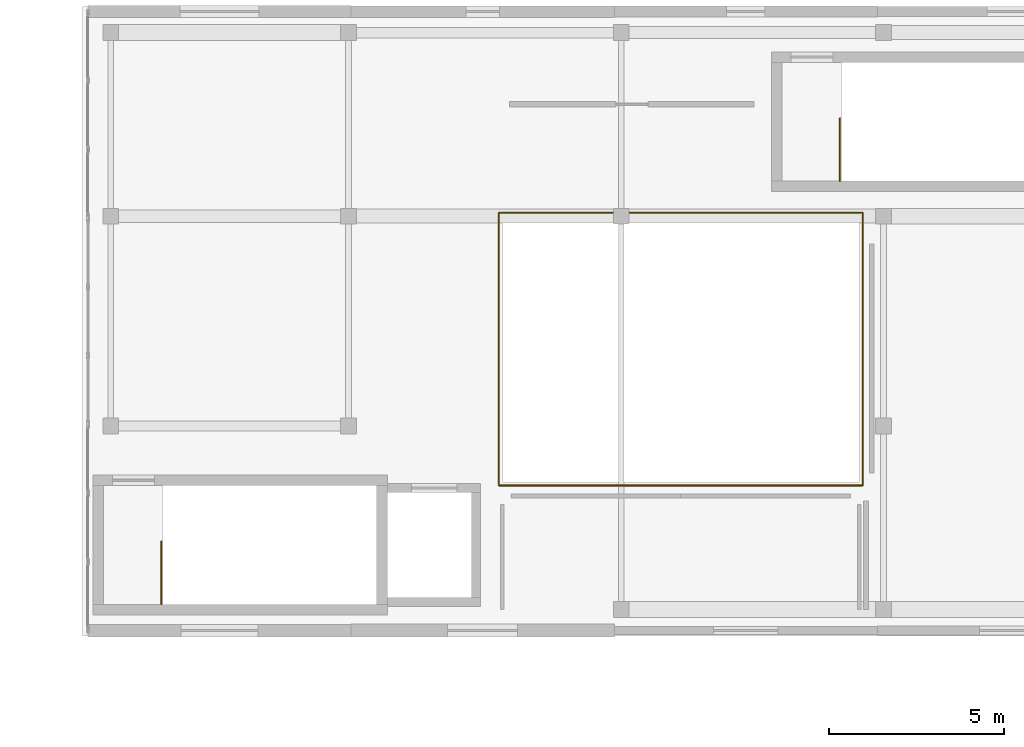
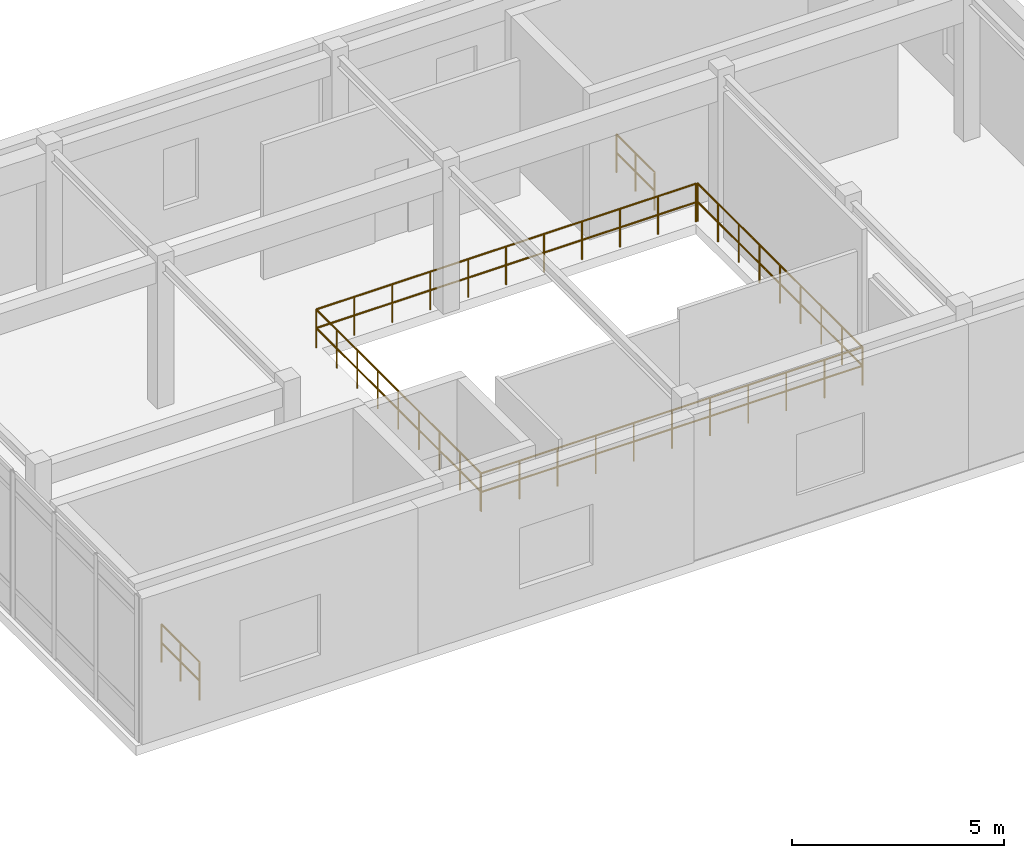
# One storey, part 142 of 142: 4 railings.
"""IFC4 building model written with IfcOpenShell, lengths in metres."""

from ifc_helpers import new_model, si_unit, direction, frame, origin, origin_2d, place, context, subcontext, project, spatial, circle, extrude, material, type_object, element, save


model = new_model("IFC4")

# Units and contexts
model_context = context("Model", 3, precision=1e-05, world=origin(), true_north=direction((0.0, 1.0)))
body_context = subcontext(model_context, "Body", "Model", "MODEL_VIEW")
ifc_project = project(units=[si_unit("LENGTHUNIT", "METRE"), si_unit("AREAUNIT", "SQUARE_METRE"), si_unit("VOLUMEUNIT", "CUBIC_METRE"), si_unit("PLANEANGLEUNIT", "RADIAN"), si_unit("MASSUNIT", "GRAM", prefix="KILO")], contexts=[model_context])

# Site, building, storey
site_placement = place(None, origin())
site = spatial("IfcSite", under=ifc_project, at=site_placement, CompositionType="ELEMENT")
building_placement = place(site_placement, origin())
building = spatial("IfcBuilding", under=site, at=building_placement, Name="Valcora Specialist Clinic", CompositionType="ELEMENT")
storey_placement = place(building_placement, frame((0.0, 0.0, 5.10009765625)))
storey = spatial("IfcBuildingStorey", under=building, at=storey_placement, Name="L01", CompositionType="ELEMENT", Elevation=5.10009765625)

# Railings
ifc_material = material(Name="Stainless Steel AISI 316", Category="steel")
railing_type_1 = type_object("IfcRailingType", Name="TY-RL-ATR112", PredefinedType="BALUSTRADE", material=ifc_material)
railing_1_placement = place(storey_placement, frame((143.5, 42.300048828125, 0.0)))
element("IfcRailing", 1, at=railing_1_placement, inside=storey, type_object=railing_type_1, Name="Rehabilitation solarium atrium balustrade SE", PredefinedType="BALUSTRADE", context=body_context, shape_type="SweptSolid", body=[
    extrude(circle(Radius=0.02392578125, at=origin_2d()), frame((0.0, 0.0, 1.09619140625), z_axis=(1.0, 0.0, 0.0), x_axis=(0.0, 1.0, 0.0)), (0.0, 0.0, 1.0), 10.39990234375),
    extrude(circle(Radius=0.02392578125, at=origin_2d()), frame((0.0, 0.0, 0.56005859375), z_axis=(1.0, 0.0, 0.0), x_axis=(0.0, 1.0, 0.0)), (0.0, 0.0, 1.0), 10.39990234375),
    extrude(circle(Radius=0.02392578125, at=origin_2d()), frame((10.39990234375, 0.0, 1.09619140625), z_axis=(0.0, 1.0, 0.0), x_axis=(-1.0, 0.0, 0.0)), (0.0, 0.0, 1.0), 7.800048828125),
    extrude(circle(Radius=0.02392578125, at=origin_2d()), frame((10.39990234375, 0.0, 0.56005859375), z_axis=(0.0, 1.0, 0.0), x_axis=(-1.0, 0.0, 0.0)), (0.0, 0.0, 1.0), 7.800048828125),
    extrude(circle(Radius=0.02099609375, at=origin_2d()), origin(), (0.0, 0.0, 1.0), 1.072021484375),
    extrude(circle(Radius=0.02099609375, at=origin_2d()), frame((1.0400390625, 0.0, 0.0)), (0.0, 0.0, 1.0), 1.072021484375),
    extrude(circle(Radius=0.02099609375, at=origin_2d()), frame((2.080078125, 0.0, 0.0)), (0.0, 0.0, 1.0), 1.072021484375),
    extrude(circle(Radius=0.02099609375, at=origin_2d()), frame((3.119873046875, 0.0, 0.0)), (0.0, 0.0, 1.0), 1.072021484375),
    extrude(circle(Radius=0.02099609375, at=origin_2d()), frame((4.159912109375, 0.0, 0.0)), (0.0, 0.0, 1.0), 1.072021484375),
    extrude(circle(Radius=0.02099609375, at=origin_2d()), frame((5.199951171875, 0.0, 0.0)), (0.0, 0.0, 1.0), 1.072021484375),
    extrude(circle(Radius=0.02099609375, at=origin_2d()), frame((6.239990234375, 0.0, 0.0)), (0.0, 0.0, 1.0), 1.072021484375),
    extrude(circle(Radius=0.02099609375, at=origin_2d()), frame((7.280029296875, 0.0, 0.0)), (0.0, 0.0, 1.0), 1.072021484375),
    extrude(circle(Radius=0.02099609375, at=origin_2d()), frame((8.31982421875, 0.0, 0.0)), (0.0, 0.0, 1.0), 1.072021484375),
    extrude(circle(Radius=0.02099609375, at=origin_2d()), frame((9.35986328125, 0.0, 0.0)), (0.0, 0.0, 1.0), 1.072021484375),
    extrude(circle(Radius=0.02099609375, at=origin_2d()), frame((10.39990234375, 0.0, 0.0)), (0.0, 0.0, 1.0), 1.072021484375),
    extrude(circle(Radius=0.02099609375, at=origin_2d()), frame((10.39990234375, 0.97509765625, 0.0)), (0.0, 0.0, 1.0), 1.072021484375),
    extrude(circle(Radius=0.02099609375, at=origin_2d()), frame((10.39990234375, 1.949951171875, 0.0)), (0.0, 0.0, 1.0), 1.072021484375),
    extrude(circle(Radius=0.02099609375, at=origin_2d()), frame((10.39990234375, 2.925048828125, 0.0)), (0.0, 0.0, 1.0), 1.072021484375),
    extrude(circle(Radius=0.02099609375, at=origin_2d()), frame((10.39990234375, 3.89990234375, 0.0)), (0.0, 0.0, 1.0), 1.072021484375),
    extrude(circle(Radius=0.02099609375, at=origin_2d()), frame((10.39990234375, 4.875, 0.0)), (0.0, 0.0, 1.0), 1.072021484375),
    extrude(circle(Radius=0.02099609375, at=origin_2d()), frame((10.39990234375, 5.85009765625, 0.0)), (0.0, 0.0, 1.0), 1.072021484375),
    extrude(circle(Radius=0.02099609375, at=origin_2d()), frame((10.39990234375, 6.824951171875, 0.0)), (0.0, 0.0, 1.0), 1.072021484375),
    extrude(circle(Radius=0.02099609375, at=origin_2d()), frame((10.39990234375, 7.800048828125, 0.0)), (0.0, 0.0, 1.0), 1.072021484375),
])
railing_2_placement = place(storey_placement, frame((153.860107421875, 50.10009765625, 0.0)))
element("IfcRailing", 2, at=railing_2_placement, inside=storey, type_object=railing_type_1, Name="Rehabilitation solarium atrium balustrade NW", PredefinedType="BALUSTRADE", context=body_context, shape_type="SweptSolid", body=[
    extrude(circle(Radius=0.02392578125, at=origin_2d()), frame((0.0, 0.0, 1.09619140625), z_axis=(-1.0, 0.0, 0.0), x_axis=(0.0, -1.0, 0.0)), (0.0, 0.0, 1.0), 10.360107421875),
    extrude(circle(Radius=0.02392578125, at=origin_2d()), frame((0.0, 0.0, 0.56005859375), z_axis=(-1.0, 0.0, 0.0), x_axis=(0.0, -1.0, 0.0)), (0.0, 0.0, 1.0), 10.360107421875),
    extrude(circle(Radius=0.02392578125, at=origin_2d()), frame((-10.360107421875, 0.0, 1.09619140625), z_axis=(0.0, -1.0, 0.0), x_axis=(1.0, 0.0, 0.0)), (0.0, 0.0, 1.0), 7.760009765625),
    extrude(circle(Radius=0.02392578125, at=origin_2d()), frame((-10.360107421875, 0.0, 0.56005859375), z_axis=(0.0, -1.0, 0.0), x_axis=(1.0, 0.0, 0.0)), (0.0, 0.0, 1.0), 7.760009765625),
    extrude(circle(Radius=0.02099609375, at=origin_2d()), origin(), (0.0, 0.0, 1.0), 1.072021484375),
    extrude(circle(Radius=0.02099609375, at=origin_2d()), frame((-1.0361328125, 0.0, 0.0)), (0.0, 0.0, 1.0), 1.072021484375),
    extrude(circle(Radius=0.02099609375, at=origin_2d()), frame((-2.072021484375, 0.0, 0.0)), (0.0, 0.0, 1.0), 1.072021484375),
    extrude(circle(Radius=0.02099609375, at=origin_2d()), frame((-3.10791015625, 0.0, 0.0)), (0.0, 0.0, 1.0), 1.072021484375),
    extrude(circle(Radius=0.02099609375, at=origin_2d()), frame((-4.14404296875, 0.0, 0.0)), (0.0, 0.0, 1.0), 1.072021484375),
    extrude(circle(Radius=0.02099609375, at=origin_2d()), frame((-5.18017578125, 0.0, 0.0)), (0.0, 0.0, 1.0), 1.072021484375),
    extrude(circle(Radius=0.02099609375, at=origin_2d()), frame((-6.216064453125, 0.0, 0.0)), (0.0, 0.0, 1.0), 1.072021484375),
    extrude(circle(Radius=0.02099609375, at=origin_2d()), frame((-7.251953125, 0.0, 0.0)), (0.0, 0.0, 1.0), 1.072021484375),
    extrude(circle(Radius=0.02099609375, at=origin_2d()), frame((-8.2880859375, 0.0, 0.0)), (0.0, 0.0, 1.0), 1.072021484375),
    extrude(circle(Radius=0.02099609375, at=origin_2d()), frame((-9.32421875, 0.0, 0.0)), (0.0, 0.0, 1.0), 1.072021484375),
    extrude(circle(Radius=0.02099609375, at=origin_2d()), frame((-10.360107421875, 0.0, 0.0)), (0.0, 0.0, 1.0), 1.072021484375),
    extrude(circle(Radius=0.02099609375, at=origin_2d()), frame((-10.360107421875, -0.969970703125, 0.0)), (0.0, 0.0, 1.0), 1.072021484375),
    extrude(circle(Radius=0.02099609375, at=origin_2d()), frame((-10.360107421875, -1.93994140625, 0.0)), (0.0, 0.0, 1.0), 1.072021484375),
    extrude(circle(Radius=0.02099609375, at=origin_2d()), frame((-10.360107421875, -2.909912109375, 0.0)), (0.0, 0.0, 1.0), 1.072021484375),
    extrude(circle(Radius=0.02099609375, at=origin_2d()), frame((-10.360107421875, -3.8798828125, 0.0)), (0.0, 0.0, 1.0), 1.072021484375),
    extrude(circle(Radius=0.02099609375, at=origin_2d()), frame((-10.360107421875, -4.85009765625, 0.0)), (0.0, 0.0, 1.0), 1.072021484375),
    extrude(circle(Radius=0.02099609375, at=origin_2d()), frame((-10.360107421875, -5.820068359375, 0.0)), (0.0, 0.0, 1.0), 1.072021484375),
    extrude(circle(Radius=0.02099609375, at=origin_2d()), frame((-10.360107421875, -6.7900390625, 0.0)), (0.0, 0.0, 1.0), 1.072021484375),
    extrude(circle(Radius=0.02099609375, at=origin_2d()), frame((-10.360107421875, -7.760009765625, 0.0)), (0.0, 0.0, 1.0), 1.072021484375),
])
railing_type_2 = type_object("IfcRailingType", Name="TY-RL-GRD112", PredefinedType="GUARDRAIL", material=ifc_material)
for number, where, name in (
    (3, (133.85009765625, 38.89990234375, 0.0), "L01 ST-V3A top well guard 1"),
    (4, (153.25, 51.0, 0.0), "L01 ST-V3B top well guard 1"),
):
    element("IfcRailing", number, at=place(storey_placement, frame(where)), inside=storey, type_object=railing_type_2, Name=name, PredefinedType="GUARDRAIL", context=body_context, shape_type="SweptSolid", body=[
        extrude(circle(Radius=0.02392578125, at=origin_2d()), frame((0.0, 0.0, 1.09619140625), z_axis=(0.0, 1.0, 0.0), x_axis=(-1.0, 0.0, 0.0)), (0.0, 0.0, 1.0), 1.800048828125),
        extrude(circle(Radius=0.02392578125, at=origin_2d()), frame((0.0, 0.0, 0.56005859375), z_axis=(0.0, 1.0, 0.0), x_axis=(-1.0, 0.0, 0.0)), (0.0, 0.0, 1.0), 1.800048828125),
        extrude(circle(Radius=0.02099609375, at=origin_2d()), origin(), (0.0, 0.0, 1.0), 1.072021484375),
        extrude(circle(Radius=0.02099609375, at=origin_2d()), frame((0.0, 0.89990234375, 0.0)), (0.0, 0.0, 1.0), 1.072021484375),
        extrude(circle(Radius=0.02099609375, at=origin_2d()), frame((0.0, 1.800048828125, 0.0)), (0.0, 0.0, 1.0), 1.072021484375),
    ])

save(model, "model.ifc")
